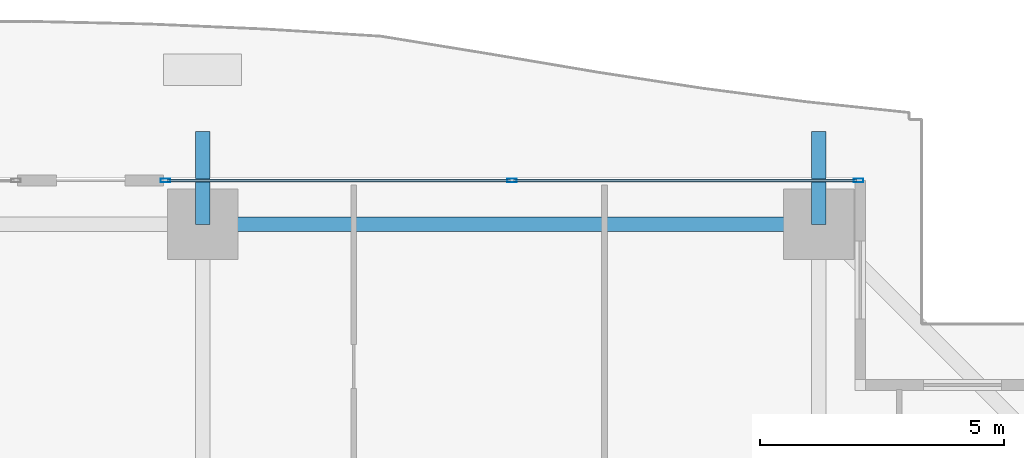
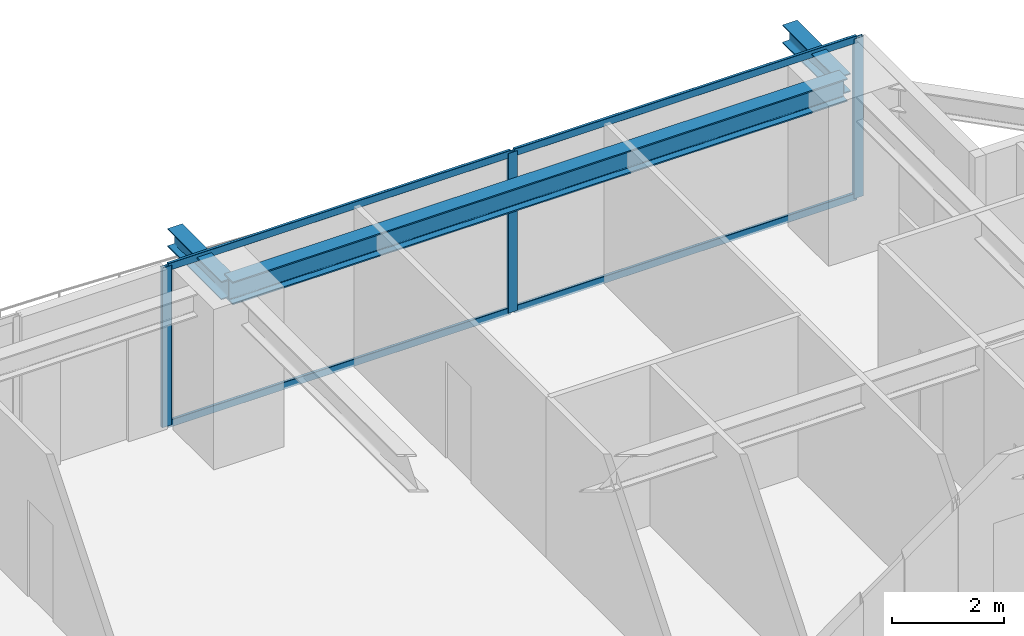
# One storey, part 21 of 35: 7 members, 3 beams, 1 element without a shape of its own.
"""IFC4 building model written with IfcOpenShell, lengths in metres."""

from ifc_helpers import new_model, si_unit, direction, frame, origin, origin_2d, place, context, subcontext, project, spatial, hollow_rectangle, i_section, extrude, source, transform, mapped, material, layer, layer_set, material_profile, profile_set, type_object, element, aggregate, save


model = new_model("IFC4")

# Units and contexts
model_context = context("Model", 3, precision=1e-05, world=origin(), true_north=direction((0.0, 1.0)))
body_context = subcontext(model_context, "Body", "Model", "MODEL_VIEW")
ifc_project = project(units=[si_unit("LENGTHUNIT", "METRE"), si_unit("AREAUNIT", "SQUARE_METRE"), si_unit("VOLUMEUNIT", "CUBIC_METRE"), si_unit("PLANEANGLEUNIT", "RADIAN"), si_unit("MASSUNIT", "GRAM", prefix="KILO")], contexts=[model_context])

# Site, building, storey
site_placement = place(None, origin())
site = spatial("IfcSite", under=ifc_project, at=site_placement, CompositionType="ELEMENT")
building_placement = place(site_placement, origin())
building = spatial("IfcBuilding", under=site, at=building_placement, Name="Serunith Strait Residences", CompositionType="ELEMENT")
storey_placement = place(building_placement, frame((0.0, 0.0, 56.699951171875)))
storey = spatial("IfcBuildingStorey", under=building, at=storey_placement, Name="L13", CompositionType="ELEMENT", Elevation=56.699951171875)

# Beams
ifc_material_1 = material(Name="Steel S355J2", Category="steel")
ifc_material_profile_1 = material_profile(ifc_material_1, i_section(OverallWidth=0.300048828125, OverallDepth=0.5, WebThickness=0.014404296875, FlangeThickness=0.028076171875, FilletRadius=0.027099609375, at=origin_2d()), Name="HEB 500")
ifc_profile_set_1 = profile_set([ifc_material_profile_1], Name="Steel S355J2")
beam_type_1 = type_object("IfcBeamType", Name="BM-HEB500", PredefinedType="BEAM", material=ifc_profile_set_1)
shared_shape_1 = source(origin(), body_context, "Body", "SweptSolid", [
    extrude(i_section(OverallWidth=0.300048828125, OverallDepth=0.5, WebThickness=0.014404296875, FlangeThickness=0.028076171875, FilletRadius=0.027099609375, at=origin_2d()), origin(), (0.0, 0.0, 1.0), 12.650146484375),
])
beam_placement = place(storey_placement, frame((49.550048828125, 49.300048828125, 3.237060546875), z_axis=(-1.0, 0.0, 0.0), x_axis=(0.0, -1.0, 0.0)))
element("IfcBeam", 1, at=beam_placement, inside=storey, type_object=beam_type_1, Name="L13 Perimeter Ring Beam 09", PredefinedType="BEAM", context=body_context, shape_type="MappedRepresentation", body=[
    mapped(shared_shape_1, transform((0.0, 0.0, 0.0), scale=1.0)),
])
ifc_material_profile_2 = material_profile(ifc_material_1, i_section(OverallWidth=0.300048828125, OverallDepth=0.39990234375, WebThickness=0.013427734375, FlangeThickness=0.02392578125, FilletRadius=0.027099609375, at=origin_2d()), Name="HEB 400")
ifc_profile_set_2 = profile_set([ifc_material_profile_2], Name="Steel S355J2")
beam_type_2 = type_object("IfcBeamType", Name="BM-HEB400", PredefinedType="BEAM", material=ifc_profile_set_2)
shared_shape_2 = source(origin(), body_context, "Body", "SweptSolid", [
    extrude(i_section(OverallWidth=0.300048828125, OverallDepth=0.39990234375, WebThickness=0.013427734375, FlangeThickness=0.02392578125, FilletRadius=0.027099609375, at=origin_2d()), origin(), (0.0, 0.0, 1.0), 1.909912109375),
])
for number, where, z_axis, x_axis, name in (
    (2, (36.89990234375, 49.300048828125, 3.257080078125), (0.0, 1.0, 0.0), (-1.0, 0.0, 0.0), "L14 Cantilevered Balcony Rib TC-N3"),
    (3, (49.550048828125, 49.300048828125, 3.257080078125), (0.0, 1.0, 0.0), (-1.0, 0.0, 0.0), "L14 Cantilevered Balcony Rib TC-N4"),
):
    element("IfcBeam", number, at=place(storey_placement, frame(where, z_axis=z_axis, x_axis=x_axis)), inside=storey, type_object=beam_type_2, Name=name, PredefinedType="BEAM", context=body_context, shape_type="MappedRepresentation", body=[
        mapped(shared_shape_2, transform((0.0, 0.0, 0.0), scale=1.0)),
    ])

# Curtain wall, members
ifc_material_2 = material(Name="Pale-Champagne Anodised Aluminium", Category="aluminium")
ifc_layer = layer(ifc_material_2, 0.199951171875, Name="Pale-Champagne Anodised Aluminium")
ifc_layer_set = layer_set([ifc_layer], Name="Pale-Champagne Anodised Aluminium")
curtain_wall_type = type_object("IfcCurtainWallType", Name="CW-SYS1", PredefinedType="NOTDEFINED", material=ifc_layer_set)
curtain_wall_placement = place(storey_placement, origin())
curtain_wall = element("IfcCurtainWall", 4, at=curtain_wall_placement, inside=storey, type_object=curtain_wall_type, Name="L13 N Unitised Fritted Curtain Wall", PredefinedType="NOTDEFINED")
ifc_material_profile_3 = material_profile(ifc_material_2, hollow_rectangle(XDim=0.070068359375, YDim=0.199951171875, WallThickness=0.00390625, InnerFilletRadius=0.006103515625, OuterFilletRadius=0.010009765625, at=origin_2d()), Name="ALU 200x70x4")
ifc_profile_set_3 = profile_set([ifc_material_profile_3], Name="Pale-Champagne Anodised Aluminium")
member_type_1 = type_object("IfcMemberType", Name="CW-SYS1-MULL", PredefinedType="MULLION", material=ifc_profile_set_3)
shared_shape_3 = source(origin(), body_context, "Body", "SweptSolid", [
    extrude(hollow_rectangle(XDim=0.070068359375, YDim=0.199951171875, WallThickness=0.00390625, InnerFilletRadius=0.006103515625, OuterFilletRadius=0.010009765625, at=origin_2d()), origin(), (0.0, 0.0, 1.0), 3.47509765625),
])
member_1_placement = place(storey_placement, frame((50.364990234375, 50.199951171875, 0.0), z_axis=(0.0, 0.0, 1.0), x_axis=(0.0, -1.0, 0.0)))
member_1 = element("IfcMember", 5, at=member_1_placement, type_object=member_type_1, Name="CW-1 mullion 1", PredefinedType="MULLION", context=body_context, shape_type="MappedRepresentation", body=[
    mapped(shared_shape_3, transform((0.0, 0.0, 0.0), scale=1.0)),
])
member_2_placement = place(storey_placement, frame((43.25, 50.199951171875, 0.0), z_axis=(0.0, 0.0, 1.0), x_axis=(0.0, -1.0, 0.0)))
member_2 = element("IfcMember", 6, at=member_2_placement, type_object=member_type_1, Name="CW-1 mullion 2", PredefinedType="MULLION", context=body_context, shape_type="MappedRepresentation", body=[
    mapped(shared_shape_3, transform((0.0, 0.0, 0.0), scale=1.0)),
])
member_3_placement = place(storey_placement, frame((36.135009765625, 50.199951171875, 0.0), z_axis=(0.0, 0.0, 1.0), x_axis=(0.0, -1.0, 0.0)))
member_3 = element("IfcMember", 7, at=member_3_placement, type_object=member_type_1, Name="CW-1 mullion 3", PredefinedType="MULLION", context=body_context, shape_type="MappedRepresentation", body=[
    mapped(shared_shape_3, transform((0.0, 0.0, 0.0), scale=1.0)),
])
ifc_material_profile_4 = material_profile(ifc_material_2, hollow_rectangle(XDim=0.06005859375, YDim=0.159912109375, WallThickness=0.00341796875, InnerFilletRadius=0.00537109375, OuterFilletRadius=0.0087890625, at=origin_2d()), Name="ALU 160x60x3.5")
ifc_profile_set_4 = profile_set([ifc_material_profile_4], Name="Pale-Champagne Anodised Aluminium")
member_type_2 = type_object("IfcMemberType", Name="CW-SYS1-TRAN", PredefinedType="USERDEFINED", material=ifc_profile_set_4)
shared_shape_4 = source(origin(), body_context, "Body", "SweptSolid", [
    extrude(hollow_rectangle(XDim=0.06005859375, YDim=0.159912109375, WallThickness=0.00341796875, InnerFilletRadius=0.00537109375, OuterFilletRadius=0.0087890625, at=origin_2d()), origin(), (0.0, 0.0, 1.0), 7.045166015625),
])
member_4_placement = place(storey_placement, frame((50.330078125, 50.199951171875, 0.030029296875), z_axis=(-1.0, 0.0, 0.0), x_axis=(0.0, -1.0, 0.0)))
member_4 = element("IfcMember", 8, at=member_4_placement, type_object=member_type_2, Name="CW-1 transom 1.1", ObjectType="TRANSOM", PredefinedType="USERDEFINED", context=body_context, shape_type="MappedRepresentation", body=[
    mapped(shared_shape_4, transform((0.0, 0.0, 0.0), scale=1.0)),
])
member_5_placement = place(storey_placement, frame((50.330078125, 50.199951171875, 3.445068359375), z_axis=(-1.0, 0.0, 0.0), x_axis=(0.0, -1.0, 0.0)))
member_5 = element("IfcMember", 9, at=member_5_placement, type_object=member_type_2, Name="CW-1 transom 1.2", ObjectType="TRANSOM", PredefinedType="USERDEFINED", context=body_context, shape_type="MappedRepresentation", body=[
    mapped(shared_shape_4, transform((0.0, 0.0, 0.0), scale=1.0)),
])
member_6_placement = place(storey_placement, frame((43.215087890625, 50.199951171875, 0.030029296875), z_axis=(-1.0, 0.0, 0.0), x_axis=(0.0, -1.0, 0.0)))
member_6 = element("IfcMember", 10, at=member_6_placement, type_object=member_type_2, Name="CW-1 transom 2.1", ObjectType="TRANSOM", PredefinedType="USERDEFINED", context=body_context, shape_type="MappedRepresentation", body=[
    mapped(shared_shape_4, transform((0.0, 0.0, 0.0), scale=1.0)),
])
member_7_placement = place(storey_placement, frame((43.215087890625, 50.199951171875, 3.445068359375), z_axis=(-1.0, 0.0, 0.0), x_axis=(0.0, -1.0, 0.0)))
member_7 = element("IfcMember", 11, at=member_7_placement, type_object=member_type_2, Name="CW-1 transom 2.2", ObjectType="TRANSOM", PredefinedType="USERDEFINED", context=body_context, shape_type="MappedRepresentation", body=[
    mapped(shared_shape_4, transform((0.0, 0.0, 0.0), scale=1.0)),
])
aggregate(curtain_wall, [member_1, member_2, member_3, member_4, member_5, member_6, member_7])

save(model, "model.ifc")
